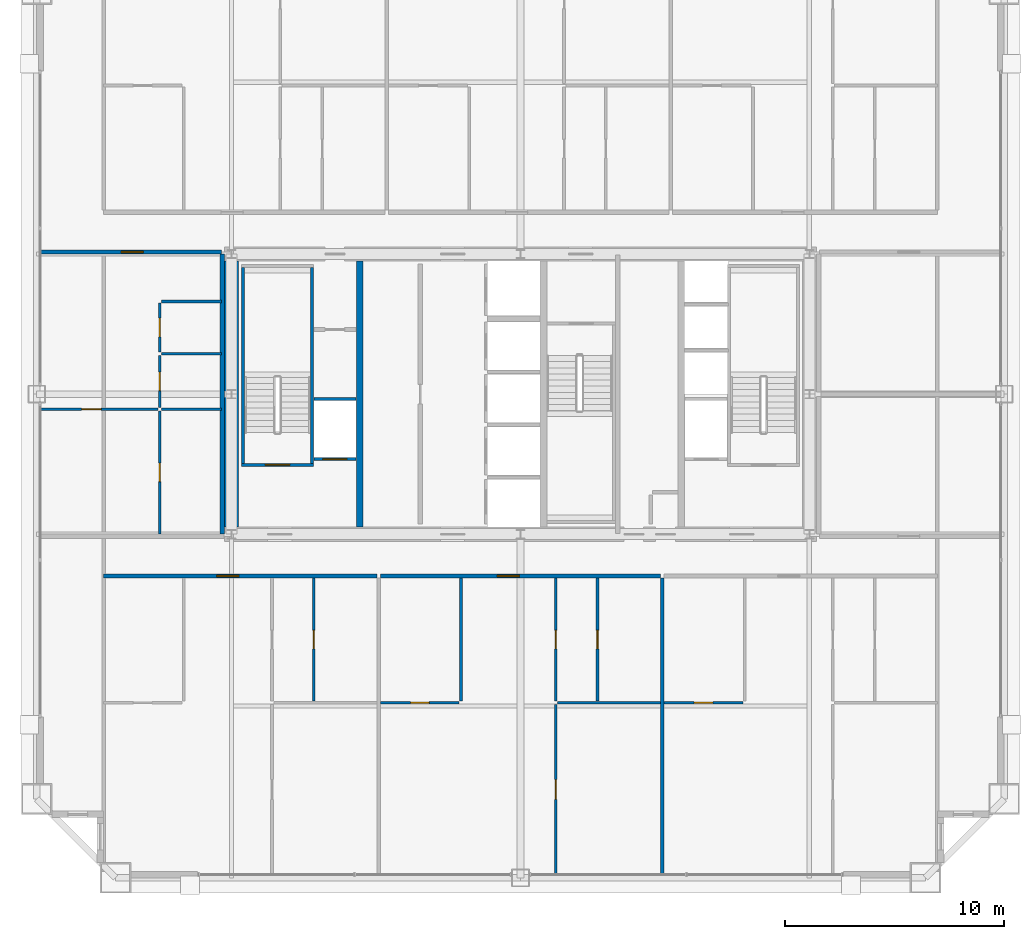
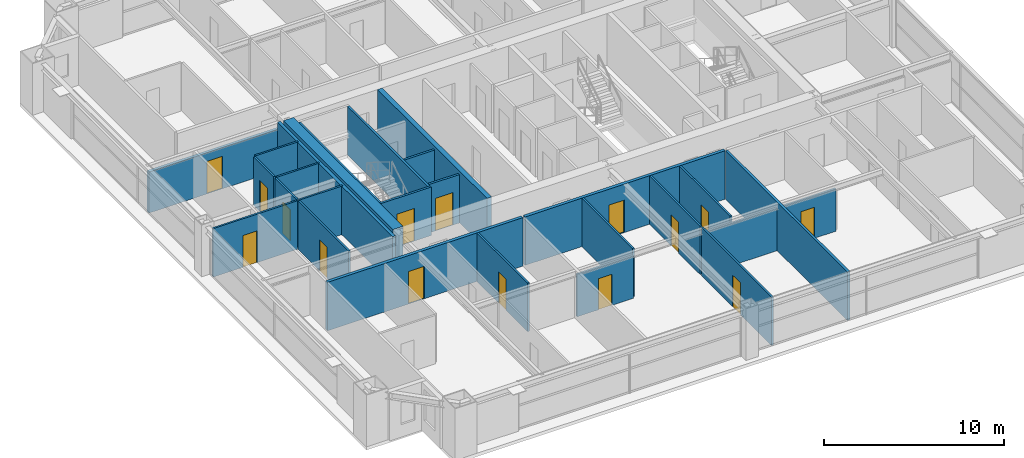
# One storey, part 33 of 38: 27 walls, 15 doors, 15 openings.
"""IFC4 building model written with IfcOpenShell, lengths in metres."""

from ifc_helpers import new_model, si_unit, direction, frame, frame_2d, origin, place, context, subcontext, project, spatial, rectangle, extrude, source, transform, mapped, material, layer, layer_set, type_object, element, fill, save


model = new_model("IFC4")

# Units and contexts
model_context = context("Model", 3, precision=1e-05, world=origin(), true_north=direction((0.0, 1.0)))
body_context = subcontext(model_context, "Body", "Model", "MODEL_VIEW")
ifc_project = project(units=[si_unit("LENGTHUNIT", "METRE"), si_unit("AREAUNIT", "SQUARE_METRE"), si_unit("VOLUMEUNIT", "CUBIC_METRE"), si_unit("PLANEANGLEUNIT", "RADIAN"), si_unit("MASSUNIT", "GRAM", prefix="KILO"), si_unit("THERMODYNAMICTEMPERATUREUNIT", "KELVIN"), si_unit("POWERUNIT", "WATT")], contexts=[model_context])

# Site, building, storey
site_placement = place(None, origin())
site = spatial("IfcSite", under=ifc_project, at=site_placement, CompositionType="ELEMENT")
building_placement = place(site_placement, origin())
building = spatial("IfcBuilding", under=site, at=building_placement, Name="Yuzanri Waterfront Tower", CompositionType="ELEMENT")
storey_placement = place(building_placement, frame((0.0, 0.0, 202.0)))
storey = spatial("IfcBuildingStorey", under=building, at=storey_placement, Name="L53", CompositionType="ELEMENT", Elevation=202.0)

# Wall, opening, door
ifc_material_1 = material(Name="Moisture-Resistant Gypsum Stud Wall", Category="gypsum")
ifc_layer_1 = layer(ifc_material_1, 0.1201171875)
ifc_layer_set_1 = layer_set([ifc_layer_1], Name="Moisture-Resistant Gypsum Stud Wall")
wall_type_1 = type_object("IfcWallType", Name="Bathroom and Kitchen Wet Partition 120", PredefinedType="PARTITIONING", material=ifc_layer_set_1)
wall_1_placement = place(storey_placement, frame((27.56005859375, 11.780029296875, 0.0), z_axis=(0.0, 0.0, 1.0), x_axis=(0.0, 1.0, 0.0)))
wall_1 = element("IfcWall", 1, at=wall_1_placement, inside=storey, type_object=wall_type_1, Name="L53 Partition UW-L53-RS1-SUB-2-W", PredefinedType="PARTITIONING", context=body_context, shape_type="SweptSolid", body=[
    extrude(rectangle(XDim=5.60986328125, YDim=0.1201171875, at=frame_2d((2.804931640625, 0.0))), origin(), (0.0, 0.0, 1.0), 3.280029296875),
])
opening_1_placement = place(wall_1_placement, frame((2.3798828125, 0.0, 0.0)))
opening_1 = element("IfcOpeningElement", 2, at=opening_1_placement, cuts=wall_1, Name="Opening ID-0850", PredefinedType="OPENING", context=body_context, shape_type="SweptSolid", body=[
    extrude(rectangle(XDim=0.85009765625, YDim=2.10009765625, at=frame_2d((0.425048828125, 1.050048828125))), frame((0.0, 0.074951171875, 0.0), z_axis=(0.0, -1.0, 0.0), x_axis=(1.0, 0.0, 0.0)), (0.0, 0.0, 1.0), 0.14990234375),
])
ifc_material_2 = material(Name="Moisture-Resistant Lacquered Timber", Category="wood")
door_type_1 = type_object("IfcDoorType", Name="En-Suite Bathroom and Kitchen Swing Door 850x2100", OperationType="NOTDEFINED", PredefinedType="DOOR", material=ifc_material_2)
shared_shape_1 = source(origin(), body_context, "Body", "SweptSolid", [
    extrude(rectangle(XDim=0.85009765625, YDim=2.10009765625, at=frame_2d((0.425048828125, 1.050048828125))), frame((0.0, 0.02490234375, 0.0), z_axis=(0.0, -1.0, 0.0), x_axis=(1.0, 0.0, 0.0)), (0.0, 0.0, 1.0), 0.050048828125),
])
door_1_placement = place(opening_1_placement, origin())
door_1 = element("IfcDoor", 3, at=door_1_placement, inside=storey, type_object=door_type_1, Name="L53 Suite Interior Room Door", OperationType="SINGLE_SWING_RIGHT", OverallHeight=2.10009765625, OverallWidth=0.85009765625, PredefinedType="DOOR", context=body_context, shape_type="MappedRepresentation", body=[
    mapped(shared_shape_1, transform((0.0, 0.0, 0.0), scale=1.0)),
])
fill(opening_1, door_1)

wall_2_placement = place(storey_placement, frame((30.60009765625, 11.699951171875, 0.0), z_axis=(0.0, 0.0, 1.0), x_axis=(1.0, 0.0, 0.0)))
wall_2 = element("IfcWall", 4, at=wall_2_placement, inside=storey, type_object=wall_type_1, Name="L53 Partition UW-L53-RS2-SUB-1-S", PredefinedType="PARTITIONING", context=body_context, shape_type="SweptSolid", body=[
    extrude(rectangle(XDim=3.599853515625, YDim=0.1201171875, at=frame_2d((1.7998046875, 0.0))), origin(), (0.0, 0.0, 1.0), 2.875),
])
opening_2_placement = place(wall_2_placement, frame((1.375, 0.0, 0.0)))
opening_2 = element("IfcOpeningElement", 5, at=opening_2_placement, cuts=wall_2, Name="Opening ID-0850", PredefinedType="OPENING", context=body_context, shape_type="SweptSolid", body=[
    extrude(rectangle(XDim=0.85009765625, YDim=2.10009765625, at=frame_2d((0.425048828125, 1.050048828125))), frame((0.0, 0.074951171875, 0.0), z_axis=(0.0, -1.0, 0.0), x_axis=(1.0, 0.0, 0.0)), (0.0, 0.0, 1.0), 0.14990234375),
])
door_2_placement = place(opening_2_placement, origin())
door_2 = element("IfcDoor", 6, at=door_2_placement, inside=storey, type_object=door_type_1, Name="L53 Suite Interior Room Door", OperationType="SINGLE_SWING_RIGHT", OverallHeight=2.10009765625, OverallWidth=0.85009765625, PredefinedType="DOOR", context=body_context, shape_type="MappedRepresentation", body=[
    mapped(shared_shape_1, transform((0.0, 0.0, 0.0), scale=1.0)),
])
fill(opening_2, door_2)

wall_3_placement = place(storey_placement, frame((40.52001953125, 11.780029296875, 0.0), z_axis=(0.0, 0.0, 1.0), x_axis=(0.0, 1.0, 0.0)))
wall_3 = element("IfcWall", 7, at=wall_3_placement, inside=storey, type_object=wall_type_1, Name="L53 Partition UW-L53-RS2-SUB-2-W", PredefinedType="PARTITIONING", context=body_context, shape_type="SweptSolid", body=[
    extrude(rectangle(XDim=5.60986328125, YDim=0.1201171875, at=frame_2d((2.804931640625, 0.0))), origin(), (0.0, 0.0, 1.0), 3.280029296875),
])
opening_3_placement = place(wall_3_placement, frame((2.3798828125, 0.0, 0.0)))
opening_3 = element("IfcOpeningElement", 8, at=opening_3_placement, cuts=wall_3, Name="Opening ID-0850", PredefinedType="OPENING", context=body_context, shape_type="SweptSolid", body=[
    extrude(rectangle(XDim=0.85009765625, YDim=2.10009765625, at=frame_2d((0.425048828125, 1.050048828125))), frame((0.0, 0.074951171875, 0.0), z_axis=(0.0, -1.0, 0.0), x_axis=(1.0, 0.0, 0.0)), (0.0, 0.0, 1.0), 0.14990234375),
])
door_3_placement = place(opening_3_placement, origin())
door_3 = element("IfcDoor", 9, at=door_3_placement, inside=storey, type_object=door_type_1, Name="L53 Suite Interior Room Door", OperationType="SINGLE_SWING_LEFT", OverallHeight=2.10009765625, OverallWidth=0.85009765625, PredefinedType="DOOR", context=body_context, shape_type="MappedRepresentation", body=[
    mapped(shared_shape_1, transform((0.0, 0.0, 0.0), scale=1.0)),
])
fill(opening_3, door_3)

wall_4_placement = place(storey_placement, frame((38.60791015625, 3.85009765625, 0.0), z_axis=(0.0, 0.0, 1.0), x_axis=(0.0, 1.0, 0.0)))
wall_4 = element("IfcWall", 10, at=wall_4_placement, inside=storey, type_object=wall_type_1, Name="L53 Partition UW-L53-RS2-SUB-3-W", PredefinedType="PARTITIONING", context=body_context, shape_type="SweptSolid", body=[
    extrude(rectangle(XDim=7.77001953125, YDim=0.1201171875, at=frame_2d((3.885009765625, 0.0))), origin(), (0.0, 0.0, 1.0), 3.280029296875),
])
opening_4_placement = place(wall_4_placement, frame((3.43505859375, 0.0, 0.0)))
opening_4 = element("IfcOpeningElement", 11, at=opening_4_placement, cuts=wall_4, Name="Opening ID-0900", PredefinedType="OPENING", context=body_context, shape_type="SweptSolid", body=[
    extrude(rectangle(XDim=0.89990234375, YDim=2.14990234375, at=frame_2d((0.449951171875, 1.074951171875))), frame((0.0, 0.074951171875, 0.0), z_axis=(0.0, -1.0, 0.0), x_axis=(1.0, 0.0, 0.0)), (0.0, 0.0, 1.0), 0.14990234375),
])
ifc_material_3 = material(Name="Stained Walnut Veneer Timber", Category="wood")
door_type_2 = type_object("IfcDoorType", Name="Bedroom and Study Interior Swing Door 900x2150", OperationType="NOTDEFINED", PredefinedType="DOOR", material=ifc_material_3)
shared_shape_2 = source(origin(), body_context, "Body", "SweptSolid", [
    extrude(rectangle(XDim=0.89990234375, YDim=2.14990234375, at=frame_2d((0.449951171875, 1.074951171875))), frame((0.0, 0.02490234375, 0.0), z_axis=(0.0, -1.0, 0.0), x_axis=(1.0, 0.0, 0.0)), (0.0, 0.0, 1.0), 0.050048828125),
])
door_4_placement = place(opening_4_placement, origin())
door_4 = element("IfcDoor", 12, at=door_4_placement, inside=storey, type_object=door_type_2, Name="L53 Suite Interior Room Door", OperationType="SINGLE_SWING_RIGHT", OverallHeight=2.14990234375, OverallWidth=0.89990234375, PredefinedType="DOOR", context=body_context, shape_type="MappedRepresentation", body=[
    mapped(shared_shape_2, transform((0.0, 0.0, 0.0), scale=1.0)),
])
fill(opening_4, door_4)

wall_5_placement = place(storey_placement, frame((38.60791015625, 11.780029296875, 0.0), z_axis=(0.0, 0.0, 1.0), x_axis=(0.0, 1.0, 0.0)))
wall_5 = element("IfcWall", 13, at=wall_5_placement, inside=storey, type_object=wall_type_1, Name="L53 Partition UW-L53-RS2-SUB-4-W", PredefinedType="PARTITIONING", context=body_context, shape_type="SweptSolid", body=[
    extrude(rectangle(XDim=5.60986328125, YDim=0.1201171875, at=frame_2d((2.804931640625, 0.0))), origin(), (0.0, 0.0, 1.0), 3.280029296875),
])
opening_5_placement = place(wall_5_placement, frame((2.3798828125, 0.0, 0.0)))
opening_5 = element("IfcOpeningElement", 14, at=opening_5_placement, cuts=wall_5, Name="Opening ID-0850", PredefinedType="OPENING", context=body_context, shape_type="SweptSolid", body=[
    extrude(rectangle(XDim=0.85009765625, YDim=2.10009765625, at=frame_2d((0.425048828125, 1.050048828125))), frame((0.0, 0.074951171875, 0.0), z_axis=(0.0, -1.0, 0.0), x_axis=(1.0, 0.0, 0.0)), (0.0, 0.0, 1.0), 0.14990234375),
])
door_5_placement = place(opening_5_placement, origin())
door_5 = element("IfcDoor", 15, at=door_5_placement, inside=storey, type_object=door_type_1, Name="L53 Suite Interior Room Door", OperationType="SINGLE_SWING_LEFT", OverallHeight=2.10009765625, OverallWidth=0.85009765625, PredefinedType="DOOR", context=body_context, shape_type="MappedRepresentation", body=[
    mapped(shared_shape_1, transform((0.0, 0.0, 0.0), scale=1.0)),
])
fill(opening_5, door_5)

wall_6_placement = place(storey_placement, frame((43.56005859375, 11.699951171875, 0.0), z_axis=(0.0, 0.0, 1.0), x_axis=(1.0, 0.0, 0.0)))
wall_6 = element("IfcWall", 16, at=wall_6_placement, inside=storey, type_object=wall_type_1, Name="L53 Partition UW-L53-RS3-SUB-1-S", PredefinedType="PARTITIONING", context=body_context, shape_type="SweptSolid", body=[
    extrude(rectangle(XDim=3.599853515625, YDim=0.1201171875, at=frame_2d((1.7998046875, 0.0))), origin(), (0.0, 0.0, 1.0), 2.875),
])
opening_6_placement = place(wall_6_placement, frame((1.375, 0.0, 0.0)))
opening_6 = element("IfcOpeningElement", 17, at=opening_6_placement, cuts=wall_6, Name="Opening ID-0850", PredefinedType="OPENING", context=body_context, shape_type="SweptSolid", body=[
    extrude(rectangle(XDim=0.85009765625, YDim=2.10009765625, at=frame_2d((0.425048828125, 1.050048828125))), frame((0.0, 0.074951171875, 0.0), z_axis=(0.0, -1.0, 0.0), x_axis=(1.0, 0.0, 0.0)), (0.0, 0.0, 1.0), 0.14990234375),
])
door_6_placement = place(opening_6_placement, origin())
door_6 = element("IfcDoor", 18, at=door_6_placement, inside=storey, type_object=door_type_1, Name="L53 Suite Interior Room Door", OperationType="SINGLE_SWING_LEFT", OverallHeight=2.10009765625, OverallWidth=0.85009765625, PredefinedType="DOOR", context=body_context, shape_type="MappedRepresentation", body=[
    mapped(shared_shape_1, transform((0.0, 0.0, 0.0), scale=1.0)),
])
fill(opening_6, door_6)

wall_7_placement = place(storey_placement, frame((20.52001953125, 25.193115234375, 0.0), z_axis=(0.0, 0.0, 1.0), x_axis=(0.0, 1.0, 0.0)))
wall_7 = element("IfcWall", 19, at=wall_7_placement, inside=storey, type_object=wall_type_1, Name="L53 Partition UW-L53-RW1-SUB-1-W", PredefinedType="PARTITIONING", context=body_context, shape_type="SweptSolid", body=[
    extrude(rectangle(XDim=2.37890625, YDim=0.1201171875, at=frame_2d((1.189453125, 0.0))), origin(), (0.0, 0.0, 1.0), 3.280029296875),
])
opening_7_placement = place(wall_7_placement, frame((0.764404296875, 0.0, 0.0)))
opening_7 = element("IfcOpeningElement", 20, at=opening_7_placement, cuts=wall_7, Name="Opening ID-0850", PredefinedType="OPENING", context=body_context, shape_type="SweptSolid", body=[
    extrude(rectangle(XDim=0.85009765625, YDim=2.10009765625, at=frame_2d((0.425048828125, 1.050048828125))), frame((0.0, 0.074951171875, 0.0), z_axis=(0.0, -1.0, 0.0), x_axis=(1.0, 0.0, 0.0)), (0.0, 0.0, 1.0), 0.14990234375),
])
door_7_placement = place(opening_7_placement, origin())
door_7 = element("IfcDoor", 21, at=door_7_placement, inside=storey, type_object=door_type_1, Name="L53 Suite Interior Room Door", OperationType="SINGLE_SWING_LEFT", OverallHeight=2.10009765625, OverallWidth=0.85009765625, PredefinedType="DOOR", context=body_context, shape_type="MappedRepresentation", body=[
    mapped(shared_shape_1, transform((0.0, 0.0, 0.0), scale=1.0)),
])
fill(opening_7, door_7)

wall_8_placement = place(storey_placement, frame((20.52001953125, 27.73193359375, 0.0), z_axis=(0.0, 0.0, 1.0), x_axis=(0.0, 1.0, 0.0)))
wall_8 = element("IfcWall", 22, at=wall_8_placement, inside=storey, type_object=wall_type_1, Name="L53 Partition UW-L53-RW1-SUB-2-W", PredefinedType="PARTITIONING", context=body_context, shape_type="SweptSolid", body=[
    extrude(rectangle(XDim=2.218994140625, YDim=0.1201171875, at=frame_2d((1.109375, 0.0))), origin(), (0.0, 0.0, 1.0), 3.280029296875),
])
opening_8_placement = place(wall_8_placement, frame((0.6845703125, 0.0, 0.0)))
opening_8 = element("IfcOpeningElement", 23, at=opening_8_placement, cuts=wall_8, Name="Opening ID-0850", PredefinedType="OPENING", context=body_context, shape_type="SweptSolid", body=[
    extrude(rectangle(XDim=0.85009765625, YDim=2.10009765625, at=frame_2d((0.425048828125, 1.050048828125))), frame((0.0, 0.074951171875, 0.0), z_axis=(0.0, -1.0, 0.0), x_axis=(1.0, 0.0, 0.0)), (0.0, 0.0, 1.0), 0.14990234375),
])
door_8_placement = place(opening_8_placement, origin())
door_8 = element("IfcDoor", 24, at=door_8_placement, inside=storey, type_object=door_type_1, Name="L53 Suite Interior Room Door", OperationType="SINGLE_SWING_RIGHT", OverallHeight=2.10009765625, OverallWidth=0.85009765625, PredefinedType="DOOR", context=body_context, shape_type="MappedRepresentation", body=[
    mapped(shared_shape_1, transform((0.0, 0.0, 0.0), scale=1.0)),
])
fill(opening_8, door_8)

wall_9_placement = place(storey_placement, frame((15.050048828125, 25.113037109375, 0.0), z_axis=(0.0, 0.0, 1.0), x_axis=(1.0, 0.0, 0.0)))
wall_9 = element("IfcWall", 25, at=wall_9_placement, inside=storey, type_object=wall_type_1, Name="L53 Partition UW-L53-RW1-SUB-3-N", PredefinedType="PARTITIONING", context=body_context, shape_type="SweptSolid", body=[
    extrude(rectangle(XDim=5.389892578125, YDim=0.1201171875, at=frame_2d((2.69482421875, 0.0))), origin(), (0.0, 0.0, 1.0), 3.280029296875),
])
opening_9_placement = place(wall_9_placement, frame((1.89599609375, 0.0, 0.0)))
opening_9 = element("IfcOpeningElement", 26, at=opening_9_placement, cuts=wall_9, Name="Opening ID-0900", PredefinedType="OPENING", context=body_context, shape_type="SweptSolid", body=[
    extrude(rectangle(XDim=0.89990234375, YDim=2.14990234375, at=frame_2d((0.449951171875, 1.074951171875))), frame((0.0, 0.074951171875, 0.0), z_axis=(0.0, -1.0, 0.0), x_axis=(1.0, 0.0, 0.0)), (0.0, 0.0, 1.0), 0.14990234375),
])
door_9_placement = place(opening_9_placement, origin())
door_9 = element("IfcDoor", 27, at=door_9_placement, inside=storey, type_object=door_type_2, Name="L53 Suite Interior Room Door", OperationType="SINGLE_SWING_LEFT", OverallHeight=2.14990234375, OverallWidth=0.89990234375, PredefinedType="DOOR", context=body_context, shape_type="MappedRepresentation", body=[
    mapped(shared_shape_2, transform((0.0, 0.0, 0.0), scale=1.0)),
])
fill(opening_9, door_9)

wall_10_placement = place(storey_placement, frame((20.52001953125, 19.409912109375, 0.0), z_axis=(0.0, 0.0, 1.0), x_axis=(0.0, 1.0, 0.0)))
wall_10 = element("IfcWall", 28, at=wall_10_placement, inside=storey, type_object=wall_type_1, Name="L53 Partition UW-L53-RW1-SUB-3-E", PredefinedType="PARTITIONING", context=body_context, shape_type="SweptSolid", body=[
    extrude(rectangle(XDim=5.623046875, YDim=0.1201171875, at=frame_2d((2.8115234375, 0.0))), origin(), (0.0, 0.0, 1.0), 3.280029296875),
])
opening_10_placement = place(wall_10_placement, frame((2.386474609375, 0.0, 0.0)))
opening_10 = element("IfcOpeningElement", 29, at=opening_10_placement, cuts=wall_10, Name="Opening ID-0850", PredefinedType="OPENING", context=body_context, shape_type="SweptSolid", body=[
    extrude(rectangle(XDim=0.85009765625, YDim=2.10009765625, at=frame_2d((0.425048828125, 1.050048828125))), frame((0.0, 0.074951171875, 0.0), z_axis=(0.0, -1.0, 0.0), x_axis=(1.0, 0.0, 0.0)), (0.0, 0.0, 1.0), 0.14990234375),
])
door_10_placement = place(opening_10_placement, origin())
door_10 = element("IfcDoor", 30, at=door_10_placement, inside=storey, type_object=door_type_1, Name="L53 Suite Interior Room Door", OperationType="SINGLE_SWING_RIGHT", OverallHeight=2.10009765625, OverallWidth=0.85009765625, PredefinedType="DOOR", context=body_context, shape_type="MappedRepresentation", body=[
    mapped(shared_shape_1, transform((0.0, 0.0, 0.0), scale=1.0)),
])
fill(opening_10, door_10)

ifc_material_4 = material(Name="Concrete C40", Category="concrete")
ifc_layer_2 = layer(ifc_material_4, 0.139892578125)
ifc_layer_set_2 = layer_set([ifc_layer_2], Name="Concrete C40")
wall_type_2 = type_object("IfcWallType", Name="Core Stair Liner and Hoistway Shaft Wall 140", PredefinedType="SOLIDWALL", material=ifc_layer_set_2)
wall_11_placement = place(storey_placement, frame((27.56005859375, 22.830078125, 0.0), z_axis=(0.0, 0.0, 1.0), x_axis=(1.0, 0.0, 0.0)))
wall_11 = element("IfcWall", 31, at=wall_11_placement, inside=storey, type_object=wall_type_2, Name="L53 Lift FL-01 Front Shaft Wall", PredefinedType="SOLIDWALL", context=body_context, shape_type="SweptSolid", body=[
    extrude(rectangle(XDim=1.919921875, YDim=0.139892578125, at=frame_2d((0.9599609375, 0.0))), origin(), (0.0, 0.0, 1.0), 3.280029296875),
])
opening_11_placement = place(wall_11_placement, frame((0.409912109375, 0.0, 0.0)))
opening_11 = element("IfcOpeningElement", 32, at=opening_11_placement, cuts=wall_11, Name="Opening LD-FL-01", PredefinedType="OPENING", context=body_context, shape_type="SweptSolid", body=[
    extrude(rectangle(XDim=1.10009765625, YDim=2.199951171875, at=frame_2d((0.550048828125, 1.10009765625))), frame((0.0, 0.0849609375, 0.0), z_axis=(0.0, -1.0, 0.0), x_axis=(1.0, 0.0, 0.0)), (0.0, 0.0, 1.0), 0.169677734375),
])
ifc_material_5 = material(Name="Brushed Bronze and Stainless Steel Cab", Category="steel")
door_type_3 = type_object("IfcDoorType", Name="Center-Parting Bronze Lift Landing Sliding Door 1100x2200", OperationType="NOTDEFINED", PredefinedType="DOOR", material=ifc_material_5)
shared_shape_3 = source(origin(), body_context, "Body", "SweptSolid", [
    extrude(rectangle(XDim=1.10009765625, YDim=2.199951171875, at=frame_2d((0.550048828125, 1.10009765625))), frame((0.0, 0.02490234375, 0.0), z_axis=(0.0, -1.0, 0.0), x_axis=(1.0, 0.0, 0.0)), (0.0, 0.0, 1.0), 0.050048828125),
])
door_11_placement = place(opening_11_placement, origin())
door_11 = element("IfcDoor", 33, at=door_11_placement, inside=storey, type_object=door_type_3, Name="L53 FL-01 Lift Landing Sliding Door", OperationType="SLIDING_TO_LEFT", OverallHeight=2.199951171875, OverallWidth=1.10009765625, PredefinedType="DOOR", context=body_context, shape_type="MappedRepresentation", body=[
    mapped(shared_shape_3, transform((0.0, 0.0, 0.0), scale=1.0)),
])
fill(opening_11, door_11)

wall_12_placement = place(storey_placement, frame((24.260009765625, 22.570068359375, 0.0), z_axis=(0.0, 0.0, 1.0), x_axis=(1.0, 0.0, 0.0)))
wall_12 = element("IfcWall", 34, at=wall_12_placement, inside=storey, type_object=wall_type_2, Name="L53 Shaft Wall STW-L53-ST-01-S", PredefinedType="SOLIDWALL", context=body_context, shape_type="SweptSolid", body=[
    extrude(rectangle(XDim=3.280029296875, YDim=0.139892578125, at=frame_2d((1.64013671875, 0.0))), origin(), (0.0, 0.0, 1.0), 3.280029296875),
])
opening_12_placement = place(wall_12_placement, frame((1.090087890625, 0.0, 0.0)))
opening_12 = element("IfcOpeningElement", 35, at=opening_12_placement, cuts=wall_12, Name="Opening FD-1100", PredefinedType="OPENING", context=body_context, shape_type="SweptSolid", body=[
    extrude(rectangle(XDim=1.10009765625, YDim=2.199951171875, at=frame_2d((0.550048828125, 1.10009765625))), frame((0.0, 0.0849609375, 0.0), z_axis=(0.0, -1.0, 0.0), x_axis=(1.0, 0.0, 0.0)), (0.0, 0.0, 1.0), 0.169677734375),
])
ifc_material_6 = material(Name="Painted Galvanized Fire Steel", Category="steel")
door_type_4 = type_object("IfcDoorType", Name="Smoke-Proof Stair and Lobby Fire Door 1100x2200", OperationType="NOTDEFINED", PredefinedType="DOOR", material=ifc_material_6)
shared_shape_4 = source(origin(), body_context, "Body", "SweptSolid", [
    extrude(rectangle(XDim=1.10009765625, YDim=2.199951171875, at=frame_2d((0.550048828125, 1.10009765625))), frame((0.0, 0.02490234375, 0.0), z_axis=(0.0, -1.0, 0.0), x_axis=(1.0, 0.0, 0.0)), (0.0, 0.0, 1.0), 0.050048828125),
])
door_12_placement = place(opening_12_placement, origin())
door_12 = element("IfcDoor", 36, at=door_12_placement, inside=storey, type_object=door_type_4, Name="L53 Stair ST-01 Fire Door", OperationType="SINGLE_SWING_LEFT", OverallHeight=2.199951171875, OverallWidth=1.10009765625, PredefinedType="DOOR", context=body_context, shape_type="MappedRepresentation", body=[
    mapped(shared_shape_4, transform((0.0, 0.0, 0.0), scale=1.0)),
])
fill(opening_12, door_12)

ifc_material_7 = material(Name="Autoclaved Aerated Concrete Blockwork", Category="masonry")
ifc_layer_3 = layer(ifc_material_7, 0.199951171875)
ifc_layer_set_3 = layer_set([ifc_layer_3], Name="Autoclaved Aerated Concrete Blockwork")
wall_type_3 = type_object("IfcWallType", Name="Corridor and Unit Party Fire Wall 200", PredefinedType="PARTITIONING", material=ifc_layer_set_3)
wall_13_placement = place(storey_placement, frame((17.93994140625, 17.489990234375, 0.0), z_axis=(0.0, 0.0, 1.0), x_axis=(1.0, 0.0, 0.0)))
wall_13 = element("IfcWall", 37, at=wall_13_placement, inside=storey, type_object=wall_type_3, Name="L53 Partition UW-L53-RS1-CN", PredefinedType="PARTITIONING", context=body_context, shape_type="SweptSolid", body=[
    extrude(rectangle(XDim=12.5, YDim=0.199951171875, at=frame_2d((6.25, 0.0))), origin(), (0.0, 0.0, 1.0), 3.280029296875),
])
opening_13_placement = place(wall_13_placement, frame((5.194091796875, 0.0, 0.0)))
opening_13 = element("IfcOpeningElement", 38, at=opening_13_placement, cuts=wall_13, Name="Opening FD-1000", PredefinedType="OPENING", context=body_context, shape_type="SweptSolid", body=[
    extrude(rectangle(XDim=1.0, YDim=2.199951171875, at=frame_2d((0.5, 1.10009765625))), frame((0.0, 0.11474609375, 0.0), z_axis=(0.0, -1.0, 0.0), x_axis=(1.0, 0.0, 0.0)), (0.0, 0.0, 1.0), 0.229736328125),
])
ifc_material_8 = material(Name="Engineered Oak Fire-Rated Timber", Category="wood")
door_type_5 = type_object("IfcDoorType", Name="Guestroom and Apartment Entrance Fire Door 1000x2200", OperationType="NOTDEFINED", PredefinedType="DOOR", material=ifc_material_8)
shared_shape_5 = source(origin(), body_context, "Body", "SweptSolid", [
    extrude(rectangle(XDim=1.0, YDim=2.199951171875, at=frame_2d((0.5, 1.10009765625))), frame((0.0, 0.02490234375, 0.0), z_axis=(0.0, -1.0, 0.0), x_axis=(1.0, 0.0, 0.0)), (0.0, 0.0, 1.0), 0.050048828125),
])
door_13_placement = place(opening_13_placement, origin())
door_13 = element("IfcDoor", 39, at=door_13_placement, inside=storey, type_object=door_type_5, Name="L53 Apartment Living Room Entrance Door", OperationType="SINGLE_SWING_RIGHT", OverallHeight=2.199951171875, OverallWidth=1.0, PredefinedType="DOOR", context=body_context, shape_type="MappedRepresentation", body=[
    mapped(shared_shape_5, transform((0.0, 0.0, 0.0), scale=1.0)),
])
fill(opening_13, door_13)

wall_14_placement = place(storey_placement, frame((30.60009765625, 17.489990234375, 0.0), z_axis=(0.0, 0.0, 1.0), x_axis=(1.0, 0.0, 0.0)))
wall_14 = element("IfcWall", 40, at=wall_14_placement, inside=storey, type_object=wall_type_3, Name="L53 Partition UW-L53-RS2-CN", PredefinedType="PARTITIONING", context=body_context, shape_type="SweptSolid", body=[
    extrude(rectangle(XDim=12.7998046875, YDim=0.199951171875, at=frame_2d((6.39990234375, 0.0))), origin(), (0.0, 0.0, 1.0), 3.280029296875),
])
opening_14_placement = place(wall_14_placement, frame((5.343994140625, 0.0, 0.0)))
opening_14 = element("IfcOpeningElement", 41, at=opening_14_placement, cuts=wall_14, Name="Opening FD-1000", PredefinedType="OPENING", context=body_context, shape_type="SweptSolid", body=[
    extrude(rectangle(XDim=1.0, YDim=2.199951171875, at=frame_2d((0.5, 1.10009765625))), frame((0.0, 0.11474609375, 0.0), z_axis=(0.0, -1.0, 0.0), x_axis=(1.0, 0.0, 0.0)), (0.0, 0.0, 1.0), 0.229736328125),
])
door_14_placement = place(opening_14_placement, origin())
door_14 = element("IfcDoor", 42, at=door_14_placement, inside=storey, type_object=door_type_5, Name="L53 Apartment Living Room Entrance Door", OperationType="SINGLE_SWING_LEFT", OverallHeight=2.199951171875, OverallWidth=1.0, PredefinedType="DOOR", context=body_context, shape_type="MappedRepresentation", body=[
    mapped(shared_shape_5, transform((0.0, 0.0, 0.0), scale=1.0)),
])
fill(opening_14, door_14)

wall_15_placement = place(storey_placement, frame((15.050048828125, 32.2900390625, 0.0), z_axis=(0.0, 0.0, 1.0), x_axis=(1.0, 0.0, 0.0)))
wall_15 = element("IfcWall", 43, at=wall_15_placement, inside=storey, type_object=wall_type_3, Name="L53 Partition UW-L53-RW1-CN", PredefinedType="PARTITIONING", context=body_context, shape_type="SweptSolid", body=[
    extrude(rectangle(XDim=8.300048828125, YDim=0.199951171875, at=frame_2d((4.14990234375, 0.0))), origin(), (0.0, 0.0, 1.0), 2.77490234375),
])
opening_15_placement = place(wall_15_placement, frame((3.715087890625, 0.0, 0.0)))
opening_15 = element("IfcOpeningElement", 44, at=opening_15_placement, cuts=wall_15, Name="Opening FD-1000", PredefinedType="OPENING", context=body_context, shape_type="SweptSolid", body=[
    extrude(rectangle(XDim=1.0, YDim=2.199951171875, at=frame_2d((0.5, 1.10009765625))), frame((0.0, 0.11474609375, 0.0), z_axis=(0.0, -1.0, 0.0), x_axis=(1.0, 0.0, 0.0)), (0.0, 0.0, 1.0), 0.229736328125),
])
door_15_placement = place(opening_15_placement, origin())
door_15 = element("IfcDoor", 45, at=door_15_placement, inside=storey, type_object=door_type_5, Name="L53 Wing Residence Living and Dining Room Entrance Door", OperationType="SINGLE_SWING_RIGHT", OverallHeight=2.199951171875, OverallWidth=1.0, PredefinedType="DOOR", context=body_context, shape_type="MappedRepresentation", body=[
    mapped(shared_shape_5, transform((0.0, 0.0, 0.0), scale=1.0)),
])
fill(opening_15, door_15)

# Walls
ifc_material_9 = material(Name="Concrete C50", Category="concrete")
ifc_layer_4 = layer(ifc_material_9, 0.64990234375)
ifc_layer_set_4 = layer_set([ifc_layer_4], Name="Concrete C50")
wall_type_4 = type_object("IfcWallType", Name="Concrete C50 Mid Zone Core Shear Wall 650", PredefinedType="SHEAR", material=ifc_layer_set_4)
shared_shape_6 = source(origin(), body_context, "Body", "SweptSolid", [
    extrude(rectangle(XDim=12.14990234375, YDim=0.64990234375, at=frame_2d((6.074951171875, 0.0))), origin(), (0.0, 0.0, 1.0), 3.5),
])
wall_16_placement = place(storey_placement, frame((23.800048828125, 19.72509765625, 0.0), z_axis=(0.0, 0.0, 1.0), x_axis=(0.0, 1.0, 0.0)))
element("IfcWall", 46, at=wall_16_placement, inside=storey, type_object=wall_type_4, Name="L53 Core West Shear Wall", PredefinedType="SHEAR", context=body_context, shape_type="MappedRepresentation", body=[
    mapped(shared_shape_6, transform((0.0, 0.0, 0.0), scale=1.0)),
])
ifc_material_10 = material(Name="Concrete C50", Category="concrete")
ifc_layer_5 = layer(ifc_material_10, 0.300048828125)
ifc_layer_set_5 = layer_set([ifc_layer_5], Name="Concrete C50")
wall_type_5 = type_object("IfcWallType", Name="Concrete C50 Internal Core Shaft Structural Wall 300", PredefinedType="SOLIDWALL", material=ifc_layer_set_5)
shared_shape_7 = source(origin(), body_context, "Body", "SweptSolid", [
    extrude(rectangle(XDim=12.14990234375, YDim=0.300048828125, at=frame_2d((6.074951171875, 0.0))), origin(), (0.0, 0.0, 1.0), 3.5),
])
wall_17_placement = place(storey_placement, frame((29.64990234375, 19.72509765625, 0.0), z_axis=(0.0, 0.0, 1.0), x_axis=(0.0, 1.0, 0.0)))
element("IfcWall", 47, at=wall_17_placement, inside=storey, type_object=wall_type_5, Name="L53 Core Internal Structural Web Wall 1", PredefinedType="SOLIDWALL", context=body_context, shape_type="MappedRepresentation", body=[
    mapped(shared_shape_7, transform((0.0, 0.0, 0.0), scale=1.0)),
])
shared_shape_8 = source(origin(), body_context, "Body", "SweptSolid", [
    extrude(rectangle(XDim=1.919921875, YDim=0.139892578125, at=frame_2d((0.9599609375, 0.0))), origin(), (0.0, 0.0, 1.0), 3.280029296875),
])
wall_18_placement = place(storey_placement, frame((27.56005859375, 25.570068359375, 0.0), z_axis=(0.0, 0.0, 1.0), x_axis=(1.0, 0.0, 0.0)))
element("IfcWall", 48, at=wall_18_placement, inside=storey, type_object=wall_type_2, Name="L53 Lift FL-01 Back Shaft Wall", PredefinedType="SOLIDWALL", context=body_context, shape_type="MappedRepresentation", body=[
    mapped(shared_shape_8, transform((0.0, 0.0, 0.0), scale=1.0)),
])
shared_shape_9 = source(origin(), body_context, "Body", "SweptSolid", [
    extrude(rectangle(XDim=8.940185546875, YDim=0.139892578125, at=frame_2d((4.47021484375, 0.0))), origin(), (0.0, 0.0, 1.0), 3.280029296875),
])
for number, where, z_axis, x_axis, name in (
    (49, (24.330078125, 22.639892578125, 0.0), (0.0, 0.0, 1.0), (0.0, 1.0, 0.0), "L53 Stair ST-01 West Shaft Wall"),
    (50, (27.469970703125, 22.639892578125, 0.0), (0.0, 0.0, 1.0), (0.0, 1.0, 0.0), "L53 Stair ST-01 East Shaft Wall"),
):
    element("IfcWall", number, at=place(storey_placement, frame(where, z_axis=z_axis, x_axis=x_axis)), inside=storey, type_object=wall_type_2, Name=name, PredefinedType="SOLIDWALL", context=body_context, shape_type="MappedRepresentation", body=[
        mapped(shared_shape_9, transform((0.0, 0.0, 0.0), scale=1.0)),
    ])
ifc_material_11 = material(Name="Gypsum Fireboard Acoustic Stud Wall", Category="gypsum")
ifc_layer_6 = layer(ifc_material_11, 0.159912109375)
ifc_layer_set_6 = layer_set([ifc_layer_6], Name="Gypsum Fireboard Acoustic Stud Wall")
wall_type_6 = type_object("IfcWallType", Name="Acoustic Suite Demising Partition 160", PredefinedType="PARTITIONING", material=ifc_layer_set_6)
shared_shape_10 = source(origin(), body_context, "Body", "SweptSolid", [
    extrude(rectangle(XDim=13.539794921875, YDim=0.159912109375, at=frame_2d((6.77001953125, 0.0))), origin(), (0.0, 0.0, 1.0), 3.280029296875),
])
wall_19_placement = place(storey_placement, frame((43.47998046875, 3.85009765625, 0.0), z_axis=(0.0, 0.0, 1.0), x_axis=(0.0, 1.0, 0.0)))
element("IfcWall", 51, at=wall_19_placement, inside=storey, type_object=wall_type_6, Name="L53-RS2 Party Wall", PredefinedType="PARTITIONING", context=body_context, shape_type="MappedRepresentation", body=[
    mapped(shared_shape_10, transform((0.0, 0.0, 0.0), scale=1.0)),
])
shared_shape_11 = source(origin(), body_context, "Body", "SweptSolid", [
    extrude(rectangle(XDim=12.780029296875, YDim=0.199951171875, at=frame_2d((6.39013671875, 0.0))), origin(), (0.0, 0.0, 1.0), 3.280029296875),
])
wall_20_placement = place(storey_placement, frame((23.3701171875, 19.409912109375, 0.0), z_axis=(0.0, 0.0, 1.0), x_axis=(0.0, 1.0, 0.0)))
element("IfcWall", 52, at=wall_20_placement, inside=storey, type_object=wall_type_3, Name="L53-RW1 Wing Inner Core-Side Wall", PredefinedType="PARTITIONING", context=body_context, shape_type="MappedRepresentation", body=[
    mapped(shared_shape_11, transform((0.0, 0.0, 0.0), scale=1.0)),
])
shared_shape_12 = source(origin(), body_context, "Body", "SweptSolid", [
    extrude(rectangle(XDim=2.75, YDim=0.1201171875, at=frame_2d((1.375, 0.0))), origin(), (0.0, 0.0, 1.0), 3.280029296875),
])
for number, where, z_axis, x_axis, name in (
    (53, (20.60009765625, 25.113037109375, 0.0), (0.0, 0.0, 1.0), (1.0, 0.0, 0.0), "L53 Partition UW-L53-RW1-SUB-1-S"),
    (54, (20.60009765625, 27.652099609375, 0.0), (0.0, 0.0, 1.0), (1.0, 0.0, 0.0), "L53 Partition UW-L53-RW1-SUB-1-N"),
    (55, (20.60009765625, 30.031005859375, 0.0), (0.0, 0.0, 1.0), (1.0, 0.0, 0.0), "L53 Partition UW-L53-RW1-SUB-2-N"),
):
    element("IfcWall", number, at=place(storey_placement, frame(where, z_axis=z_axis, x_axis=x_axis)), inside=storey, type_object=wall_type_1, Name=name, PredefinedType="PARTITIONING", context=body_context, shape_type="MappedRepresentation", body=[
        mapped(shared_shape_12, transform((0.0, 0.0, 0.0), scale=1.0)),
    ])
shared_shape_13 = source(origin(), body_context, "Body", "SweptSolid", [
    extrude(rectangle(XDim=5.60986328125, YDim=0.1201171875, at=frame_2d((2.804931640625, 0.0))), origin(), (0.0, 0.0, 1.0), 3.280029296875),
])
wall_21_placement = place(storey_placement, frame((34.280029296875, 11.780029296875, 0.0), z_axis=(0.0, 0.0, 1.0), x_axis=(0.0, 1.0, 0.0)))
element("IfcWall", 56, at=wall_21_placement, inside=storey, type_object=wall_type_1, Name="L53 Partition UW-L53-RS2-SUB-1-E", PredefinedType="PARTITIONING", context=body_context, shape_type="MappedRepresentation", body=[
    mapped(shared_shape_13, transform((0.0, 0.0, 0.0), scale=1.0)),
])
shared_shape_14 = source(origin(), body_context, "Body", "SweptSolid", [
    extrude(rectangle(XDim=4.7119140625, YDim=0.1201171875, at=frame_2d((2.35595703125, 0.0))), origin(), (0.0, 0.0, 1.0), 2.875),
])
wall_22_placement = place(storey_placement, frame((38.68798828125, 11.699951171875, 0.0), z_axis=(0.0, 0.0, 1.0), x_axis=(1.0, 0.0, 0.0)))
element("IfcWall", 57, at=wall_22_placement, inside=storey, type_object=wall_type_1, Name="L53 Partition UW-L53-RS2-SUB-3-N", PredefinedType="PARTITIONING", context=body_context, shape_type="MappedRepresentation", body=[
    mapped(shared_shape_14, transform((0.0, 0.0, 0.0), scale=1.0)),
])

save(model, "model.ifc")
